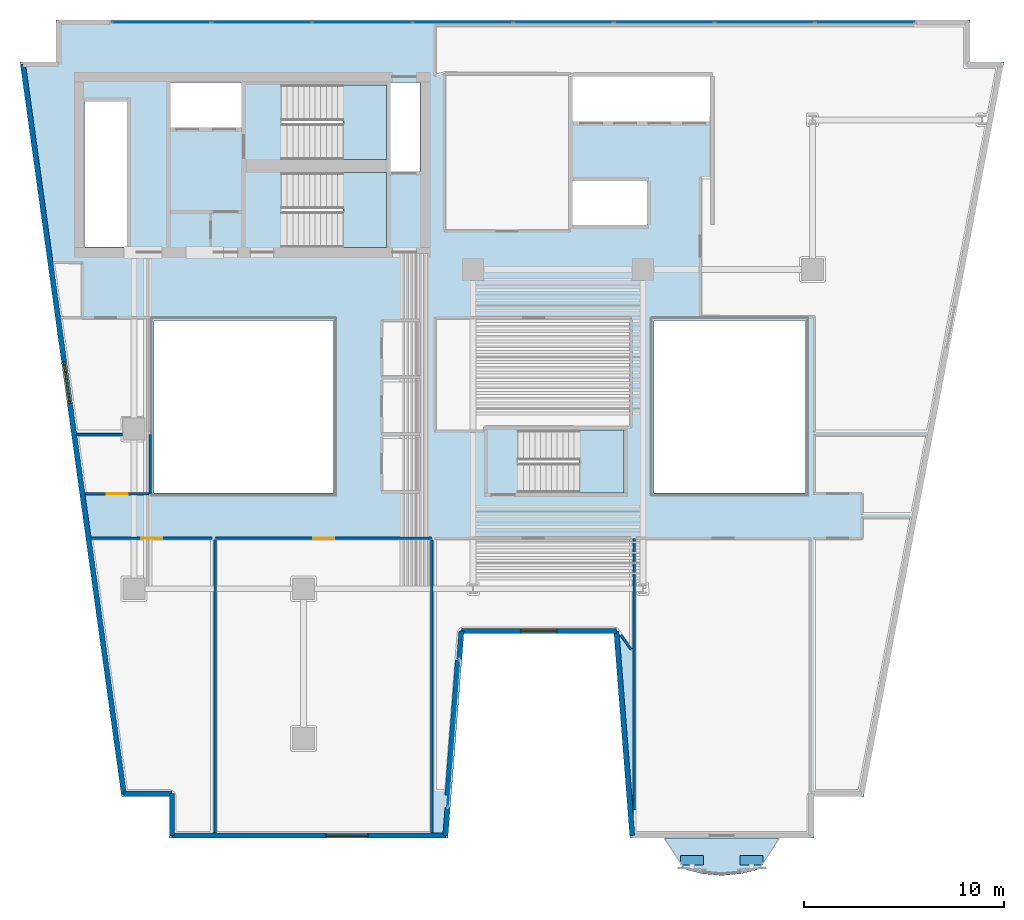
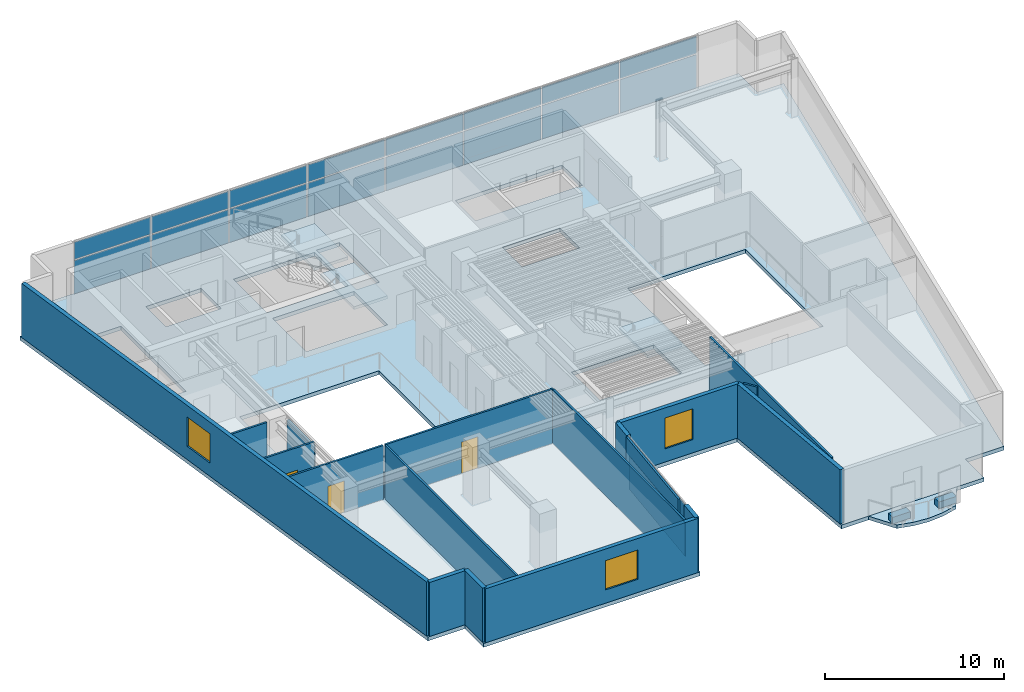
# One storey, part 5 of 13: 20 plates, 18 walls, 5 slabs, 3 doors, 3 windows, 6 openings, 5 elements without a shape of their own.
"""IFC4 building model written with IfcOpenShell, lengths in metres."""

from ifc_helpers import new_model, si_unit, direction, frame, frame_2d, origin, origin_2d, place, context, subcontext, project, spatial, polyline, rectangle, outline, extrude, material, layer, layer_set, type_object, element, fill, aggregate, save


model = new_model("IFC4")

# Units and contexts
model_context = context("Model", 3, precision=1e-05, world=origin(), true_north=direction((0.0, 1.0)))
body_context = subcontext(model_context, "Body", "Model", "MODEL_VIEW")
ifc_project = project(units=[si_unit("LENGTHUNIT", "METRE"), si_unit("AREAUNIT", "SQUARE_METRE"), si_unit("VOLUMEUNIT", "CUBIC_METRE"), si_unit("PLANEANGLEUNIT", "RADIAN"), si_unit("MASSUNIT", "GRAM", prefix="KILO")], contexts=[model_context])

# Site, building, storey
site_placement = place(None, origin())
site = spatial("IfcSite", under=ifc_project, at=site_placement, CompositionType="ELEMENT")
building_placement = place(site_placement, origin())
building = spatial("IfcBuilding", under=site, at=building_placement, Name="Caeloran Harvest Quay", CompositionType="ELEMENT")
storey_placement = place(building_placement, frame((0.0, 0.0, 131.14990234375)))
storey = spatial("IfcBuildingStorey", under=building, at=storey_placement, Name="L30", CompositionType="ELEMENT", Elevation=131.14990234375)

# Slab
ifc_material_1 = material(Name="Concrete C50/60", Category="concrete")
ifc_layer_1 = layer(ifc_material_1, 0.239990234375, Name="Concrete C50/60")
ifc_layer_set_1 = layer_set([ifc_layer_1], Name="Concrete C50/60")
slab_type_1 = type_object("IfcSlabType", Name="BALCONY-BL-240", PredefinedType="FLOOR", material=ifc_layer_set_1)
slab_1_placement = place(storey_placement, frame((0.0, 0.0, -0.239990234375)))
element("IfcSlab", 1, at=slab_1_placement, inside=storey, type_object=slab_type_1, Name="L30 Scalloped Cantilevered Planted Balcony Slab", PredefinedType="FLOOR", context=body_context, shape_type="SweptSolid", body=[
    extrude(outline(polyline([(39.869873046875, 0.955078125), (38.913818359375, 0.717041015625), (37.95751953125, 0.6298828125), (37.001220703125, 0.717041015625), (36.045166015625, 0.955078125), (35.101318359375, 2.5), (40.813720703125, 2.5), (39.869873046875, 0.955078125)])), origin(), (0.0, 0.0, 1.0), 0.239990234375),
])

# Curtain wall, plates
ifc_material_2 = material(Name="Aluminium 6063-T6 and Low-E Glazing", Category="aluminium")
ifc_layer_2 = layer(ifc_material_2, 0.18994140625, Name="Aluminium 6063-T6 and Low-E Glazing")
ifc_layer_set_2 = layer_set([ifc_layer_2], Name="Aluminium 6063-T6 and Low-E Glazing")
curtain_wall_type = type_object("IfcCurtainWallType", Name="CW-SYS-CW-3", PredefinedType="USERDEFINED", material=ifc_layer_set_2)
curtain_wall_1_placement = place(storey_placement, origin())
curtain_wall_1 = element("IfcCurtainWall", 2, at=curtain_wall_1_placement, inside=storey, type_object=curtain_wall_type, Name="L30 Unitised Curtain Wall CW-3 Run 6", ObjectType="CURTAIN_WALL", PredefinedType="USERDEFINED")
ifc_material_3 = material(Name="Low-E Double Glazed Vision Glass Unit", Category="glass")
ifc_layer_3 = layer(ifc_material_3, 0.035888671875, Name="Low-E Double Glazed Vision Glass Unit")
ifc_layer_set_3 = layer_set([ifc_layer_3], Name="Low-E Double Glazed Vision Glass Unit")
plate_type_1 = type_object("IfcPlateType", Name="CW-VISION-PANEL", PredefinedType="CURTAIN_PANEL", material=ifc_layer_set_3)
plate_1_placement = place(storey_placement, frame((9.871337890625, 43.3701171875, 0.080078125), z_axis=(0.0, 0.0, 1.0), x_axis=(1.0, 0.0, 0.0)))
plate_1 = element("IfcPlate", 3, at=plate_1_placement, type_object=plate_type_1, Name="CW-3 panel 1.1", PredefinedType="CURTAIN_PANEL", context=body_context, shape_type="SweptSolid", body=[
    extrude(rectangle(XDim=4.922607421875, YDim=0.035888671875, at=origin_2d()), origin(), (0.0, 0.0, 1.0), 2.280029296875),
])
plate_2_placement = place(storey_placement, frame((9.871337890625, 43.3701171875, 2.440185546875), z_axis=(0.0, 0.0, 1.0), x_axis=(1.0, 0.0, 0.0)))
plate_2 = element("IfcPlate", 4, at=plate_2_placement, type_object=plate_type_1, Name="CW-3 panel 1.2", PredefinedType="CURTAIN_PANEL", context=body_context, shape_type="SweptSolid", body=[
    extrude(rectangle(XDim=4.922607421875, YDim=0.035888671875, at=origin_2d()), origin(), (0.0, 0.0, 1.0), 1.169921875),
])
plate_3_placement = place(storey_placement, frame((14.893798828125, 43.3701171875, 0.080078125), z_axis=(0.0, 0.0, 1.0), x_axis=(1.0, 0.0, 0.0)))
plate_3 = element("IfcPlate", 5, at=plate_3_placement, type_object=plate_type_1, Name="CW-3 panel 2.1", PredefinedType="CURTAIN_PANEL", context=body_context, shape_type="SweptSolid", body=[
    extrude(rectangle(XDim=4.96240234375, YDim=0.035888671875, at=origin_2d()), origin(), (0.0, 0.0, 1.0), 2.280029296875),
])
plate_4_placement = place(storey_placement, frame((14.893798828125, 43.3701171875, 2.440185546875), z_axis=(0.0, 0.0, 1.0), x_axis=(1.0, 0.0, 0.0)))
plate_4 = element("IfcPlate", 6, at=plate_4_placement, type_object=plate_type_1, Name="CW-3 panel 2.2", PredefinedType="CURTAIN_PANEL", context=body_context, shape_type="SweptSolid", body=[
    extrude(rectangle(XDim=4.96240234375, YDim=0.035888671875, at=origin_2d()), origin(), (0.0, 0.0, 1.0), 1.169921875),
])
plate_5_placement = place(storey_placement, frame((19.936279296875, 43.3701171875, 0.080078125), z_axis=(0.0, 0.0, 1.0), x_axis=(1.0, 0.0, 0.0)))
plate_5 = element("IfcPlate", 7, at=plate_5_placement, type_object=plate_type_1, Name="CW-3 panel 3.1", PredefinedType="CURTAIN_PANEL", context=body_context, shape_type="SweptSolid", body=[
    extrude(rectangle(XDim=4.96240234375, YDim=0.035888671875, at=origin_2d()), origin(), (0.0, 0.0, 1.0), 2.280029296875),
])
plate_6_placement = place(storey_placement, frame((19.936279296875, 43.3701171875, 2.440185546875), z_axis=(0.0, 0.0, 1.0), x_axis=(1.0, 0.0, 0.0)))
plate_6 = element("IfcPlate", 8, at=plate_6_placement, type_object=plate_type_1, Name="CW-3 panel 3.2", PredefinedType="CURTAIN_PANEL", context=body_context, shape_type="SweptSolid", body=[
    extrude(rectangle(XDim=4.96240234375, YDim=0.035888671875, at=origin_2d()), origin(), (0.0, 0.0, 1.0), 1.169921875),
])
plate_7_placement = place(storey_placement, frame((24.978759765625, 43.3701171875, 0.080078125), z_axis=(0.0, 0.0, 1.0), x_axis=(1.0, 0.0, 0.0)))
plate_7 = element("IfcPlate", 9, at=plate_7_placement, type_object=plate_type_1, Name="CW-3 panel 4.1", PredefinedType="CURTAIN_PANEL", context=body_context, shape_type="SweptSolid", body=[
    extrude(rectangle(XDim=4.96240234375, YDim=0.035888671875, at=origin_2d()), origin(), (0.0, 0.0, 1.0), 2.280029296875),
])
plate_8_placement = place(storey_placement, frame((24.978759765625, 43.3701171875, 2.440185546875), z_axis=(0.0, 0.0, 1.0), x_axis=(1.0, 0.0, 0.0)))
plate_8 = element("IfcPlate", 10, at=plate_8_placement, type_object=plate_type_1, Name="CW-3 panel 4.2", PredefinedType="CURTAIN_PANEL", context=body_context, shape_type="SweptSolid", body=[
    extrude(rectangle(XDim=4.96240234375, YDim=0.035888671875, at=origin_2d()), origin(), (0.0, 0.0, 1.0), 1.169921875),
])
plate_9_placement = place(storey_placement, frame((30.021240234375, 43.3701171875, 0.080078125), z_axis=(0.0, 0.0, 1.0), x_axis=(1.0, 0.0, 0.0)))
plate_9 = element("IfcPlate", 11, at=plate_9_placement, type_object=plate_type_1, Name="CW-3 panel 5.1", PredefinedType="CURTAIN_PANEL", context=body_context, shape_type="SweptSolid", body=[
    extrude(rectangle(XDim=4.96240234375, YDim=0.035888671875, at=origin_2d()), origin(), (0.0, 0.0, 1.0), 2.280029296875),
])
plate_10_placement = place(storey_placement, frame((30.021240234375, 43.3701171875, 2.440185546875), z_axis=(0.0, 0.0, 1.0), x_axis=(1.0, 0.0, 0.0)))
plate_10 = element("IfcPlate", 12, at=plate_10_placement, type_object=plate_type_1, Name="CW-3 panel 5.2", PredefinedType="CURTAIN_PANEL", context=body_context, shape_type="SweptSolid", body=[
    extrude(rectangle(XDim=4.96240234375, YDim=0.035888671875, at=origin_2d()), origin(), (0.0, 0.0, 1.0), 1.169921875),
])
plate_11_placement = place(storey_placement, frame((35.063720703125, 43.3701171875, 0.080078125), z_axis=(0.0, 0.0, 1.0), x_axis=(1.0, 0.0, 0.0)))
plate_11 = element("IfcPlate", 13, at=plate_11_placement, type_object=plate_type_1, Name="CW-3 panel 6.1", PredefinedType="CURTAIN_PANEL", context=body_context, shape_type="SweptSolid", body=[
    extrude(rectangle(XDim=4.96240234375, YDim=0.035888671875, at=origin_2d()), origin(), (0.0, 0.0, 1.0), 2.280029296875),
])
plate_12_placement = place(storey_placement, frame((35.063720703125, 43.3701171875, 2.440185546875), z_axis=(0.0, 0.0, 1.0), x_axis=(1.0, 0.0, 0.0)))
plate_12 = element("IfcPlate", 14, at=plate_12_placement, type_object=plate_type_1, Name="CW-3 panel 6.2", PredefinedType="CURTAIN_PANEL", context=body_context, shape_type="SweptSolid", body=[
    extrude(rectangle(XDim=4.96240234375, YDim=0.035888671875, at=origin_2d()), origin(), (0.0, 0.0, 1.0), 1.169921875),
])
plate_13_placement = place(storey_placement, frame((40.106201171875, 43.3701171875, 0.080078125), z_axis=(0.0, 0.0, 1.0), x_axis=(1.0, 0.0, 0.0)))
plate_13 = element("IfcPlate", 15, at=plate_13_placement, type_object=plate_type_1, Name="CW-3 panel 7.1", PredefinedType="CURTAIN_PANEL", context=body_context, shape_type="SweptSolid", body=[
    extrude(rectangle(XDim=4.96240234375, YDim=0.035888671875, at=origin_2d()), origin(), (0.0, 0.0, 1.0), 2.280029296875),
])
plate_14_placement = place(storey_placement, frame((40.106201171875, 43.3701171875, 2.440185546875), z_axis=(0.0, 0.0, 1.0), x_axis=(1.0, 0.0, 0.0)))
plate_14 = element("IfcPlate", 16, at=plate_14_placement, type_object=plate_type_1, Name="CW-3 panel 7.2", PredefinedType="CURTAIN_PANEL", context=body_context, shape_type="SweptSolid", body=[
    extrude(rectangle(XDim=4.96240234375, YDim=0.035888671875, at=origin_2d()), origin(), (0.0, 0.0, 1.0), 1.169921875),
])
plate_15_placement = place(storey_placement, frame((45.128662109375, 43.3701171875, 0.080078125), z_axis=(0.0, 0.0, 1.0), x_axis=(1.0, 0.0, 0.0)))
plate_15 = element("IfcPlate", 17, at=plate_15_placement, type_object=plate_type_1, Name="CW-3 panel 8.1", PredefinedType="CURTAIN_PANEL", context=body_context, shape_type="SweptSolid", body=[
    extrude(rectangle(XDim=4.922607421875, YDim=0.035888671875, at=origin_2d()), origin(), (0.0, 0.0, 1.0), 2.280029296875),
])
plate_16_placement = place(storey_placement, frame((45.128662109375, 43.3701171875, 2.440185546875), z_axis=(0.0, 0.0, 1.0), x_axis=(1.0, 0.0, 0.0)))
plate_16 = element("IfcPlate", 18, at=plate_16_placement, type_object=plate_type_1, Name="CW-3 panel 8.2", PredefinedType="CURTAIN_PANEL", context=body_context, shape_type="SweptSolid", body=[
    extrude(rectangle(XDim=4.922607421875, YDim=0.035888671875, at=origin_2d()), origin(), (0.0, 0.0, 1.0), 1.169921875),
])
aggregate(curtain_wall_1, [plate_1, plate_2, plate_3, plate_4, plate_5, plate_6, plate_7, plate_8, plate_9, plate_10, plate_11, plate_12, plate_13, plate_14, plate_15, plate_16])

curtain_wall_2_placement = place(storey_placement, origin())
curtain_wall_2 = element("IfcCurtainWall", 19, at=curtain_wall_2_placement, inside=storey, type_object=curtain_wall_type, Name="L30 Unitised Curtain Wall CW-3 Run 15", ObjectType="CURTAIN_WALL", PredefinedType="USERDEFINED")
plate_17_placement = place(storey_placement, frame((24.509765625, 7.7548828125, 0.080078125), z_axis=(0.0, 0.0, 1.0), x_axis=(-0.077821861046, -0.996967280277, 0.0)))
plate_17 = element("IfcPlate", 20, at=plate_17_placement, type_object=plate_type_1, Name="CW-3 panel 1.1", PredefinedType="CURTAIN_PANEL", context=body_context, shape_type="SweptSolid", body=[
    extrude(rectangle(XDim=7.3212890625, YDim=0.035888671875, at=origin_2d()), origin(), (0.0, 0.0, 1.0), 2.280029296875),
])
plate_18_placement = place(storey_placement, frame((24.509765625, 7.7548828125, 2.440185546875), z_axis=(0.0, 0.0, 1.0), x_axis=(-0.077821861046, -0.996967280277, 0.0)))
plate_18 = element("IfcPlate", 21, at=plate_18_placement, type_object=plate_type_1, Name="CW-3 panel 1.2", PredefinedType="CURTAIN_PANEL", context=body_context, shape_type="SweptSolid", body=[
    extrude(rectangle(XDim=7.3212890625, YDim=0.035888671875, at=origin_2d()), origin(), (0.0, 0.0, 1.0), 1.169921875),
])
aggregate(curtain_wall_2, [plate_17, plate_18])

# Plates
ifc_material_4 = material(Name="Precast concrete C50/60", Category="concrete")
ifc_layer_4 = layer(ifc_material_4, 0.449951171875, Name="Precast concrete C50/60")
ifc_layer_set_4 = layer_set([ifc_layer_4], Name="Precast concrete C50/60")
plate_type_2 = type_object("IfcPlateType", Name="PLANTER-TROUGH-450", PredefinedType="USERDEFINED", material=ifc_layer_set_4)
for number, where, z_axis, x_axis, name in (
    (22, (39.44921875, 1.389892578125, 0.0), (0.0, 0.0, 1.0), (1.0, 0.0, 0.0), "L30 Balcony Vertical-Greenery Precast PLANTER Trough 1"),
    (23, (36.4658203125, 1.389892578125, 0.0), (0.0, 0.0, 1.0), (1.0, 0.0, 0.0), "L30 Balcony Vertical-Greenery Precast PLANTER Trough 2"),
):
    element("IfcPlate", number, at=place(storey_placement, frame(where, z_axis=z_axis, x_axis=x_axis)), inside=storey, type_object=plate_type_2, Name=name, ObjectType="PLANTER", PredefinedType="USERDEFINED", context=body_context, shape_type="SweptSolid", body=[
        extrude(rectangle(XDim=1.14990234375, YDim=0.47998046875, at=origin_2d()), origin(), (0.0, 0.0, 1.0), 0.449951171875),
    ])

# Slab
ifc_layer_5 = layer(ifc_material_1, 0.260009765625, Name="Concrete C50/60")
ifc_layer_set_5 = layer_set([ifc_layer_5], Name="Concrete C50/60")
slab_type_2 = type_object("IfcSlabType", Name="SLAB-FS-260", PredefinedType="FLOOR", material=ifc_layer_set_5)
slab_2_placement = place(storey_placement, frame((0.0, 0.0, -0.260009765625)))
element("IfcSlab", 24, at=slab_2_placement, inside=storey, type_object=slab_type_2, Name="L30 Structural Floor Slab", PredefinedType="FLOOR", context=body_context, shape_type="SweptSolid", body=[
    extrude(outline(polyline([(10.27001953125, 2.5), (24.22998046875, 2.5), (25.030029296875, 12.75), (32.554931640625, 12.75), (33.35498046875, 2.5), (42.570068359375, 2.5), (42.570068359375, 4.60009765625), (45.071044921875, 4.60009765625), (52.09912109375, 41.39990234375), (50.39990234375, 41.39990234375), (50.39990234375, 43.5), (4.60009765625, 43.5), (4.60009765625, 41.39990234375), (2.790283203125, 41.39990234375), (7.879638671875, 4.60009765625), (10.27001953125, 4.60009765625), (10.27001953125, 2.5)]), holes=[polyline([(27.75, 19.800048828125), (27.75, 22.949951171875), (33.050048828125, 22.949951171875), (33.050048828125, 19.800048828125), (27.75, 19.800048828125)]), polyline([(18.5, 19.800048828125), (9.5, 19.800048828125), (9.5, 28.449951171875), (18.5, 28.449951171875), (18.5, 19.800048828125)]), polyline([(42.14990234375, 19.800048828125), (34.550048828125, 19.800048828125), (34.550048828125, 28.449951171875), (42.14990234375, 28.449951171875), (42.14990234375, 19.800048828125)]), polyline([(15.89990234375, 35.85009765625), (21.14990234375, 35.85009765625), (21.14990234375, 32.10009765625), (15.89990234375, 32.10009765625), (15.89990234375, 35.85009765625)]), polyline([(30.47998046875, 33.219970703125), (30.47998046875, 35.429931640625), (34.199951171875, 35.429931640625), (34.199951171875, 33.219970703125), (30.47998046875, 33.219970703125)]), polyline([(8.159912109375, 32.1201171875), (6.02001953125, 32.1201171875), (6.02001953125, 39.419921875), (8.159912109375, 39.419921875), (8.159912109375, 32.1201171875)]), polyline([(22.830078125, 35.919921875), (21.35009765625, 35.919921875), (21.35009765625, 40.3798828125), (22.830078125, 40.3798828125), (22.830078125, 35.919921875)]), polyline([(15.89990234375, 36.5), (15.89990234375, 40.25), (21.14990234375, 40.25), (21.14990234375, 36.5), (15.89990234375, 36.5)]), polyline([(10.320068359375, 38.1201171875), (10.320068359375, 40.3798828125), (13.89990234375, 40.3798828125), (13.89990234375, 38.1201171875), (10.320068359375, 38.1201171875)]), polyline([(30.47998046875, 38.419921875), (30.47998046875, 40.679931640625), (37.3798828125, 40.679931640625), (37.3798828125, 38.419921875), (30.47998046875, 38.419921875)])]), origin(), (0.0, 0.0, 1.0), 0.260009765625),
])

# Stair, slab
stair_type_1 = type_object("IfcStairType", Name="STAIR-STC-180", PredefinedType="HALF_TURN_STAIR", material=ifc_material_1)
stair_1_placement = place(storey_placement, origin())
stair_1 = element("IfcStair", 25, at=stair_1_placement, inside=storey, type_object=stair_type_1, Name="L30 Core Pressurized Exit Stair ST-C1", PredefinedType="HALF_TURN_STAIR")
ifc_layer_6 = layer(ifc_material_1, 0.219970703125, Name="Concrete C50/60")
ifc_layer_set_6 = layer_set([ifc_layer_6], Name="Concrete C50/60")
slab_type_3 = type_object("IfcSlabType", Name="STAIR-LANDING-220", PredefinedType="LANDING", material=ifc_layer_set_6)
slab_3_placement = place(storey_placement, frame((0.0, 0.0, 1.775146484375)))
slab_3 = element("IfcSlab", 26, at=slab_3_placement, type_object=slab_type_3, Name="ST-C1 landing 1", PredefinedType="LANDING", context=body_context, shape_type="SweptSolid", body=[
    extrude(outline(polyline([(18.97998046875, 36.5), (21.14990234375, 36.5), (21.14990234375, 40.25), (18.97998046875, 40.25), (18.97998046875, 36.5)])), origin(), (0.0, 0.0, 1.0), 0.199951171875),
])
aggregate(stair_1, [slab_3])

stair_2_placement = place(storey_placement, origin())
stair_2 = element("IfcStair", 27, at=stair_2_placement, inside=storey, type_object=stair_type_1, Name="L30 Core Pressurized Exit Stair ST-C2", PredefinedType="HALF_TURN_STAIR")
slab_4_placement = place(storey_placement, frame((0.0, 0.0, 1.775146484375)))
slab_4 = element("IfcSlab", 28, at=slab_4_placement, type_object=slab_type_3, Name="ST-C2 landing 1", PredefinedType="LANDING", context=body_context, shape_type="SweptSolid", body=[
    extrude(outline(polyline([(18.97998046875, 32.10009765625), (21.14990234375, 32.10009765625), (21.14990234375, 35.85009765625), (18.97998046875, 35.85009765625), (18.97998046875, 32.10009765625)])), origin(), (0.0, 0.0, 1.0), 0.199951171875),
])
aggregate(stair_2, [slab_4])

stair_type_2 = type_object("IfcStairType", Name="STAIR-STW-150", PredefinedType="HALF_TURN_STAIR", material=ifc_material_1)
stair_3_placement = place(storey_placement, origin())
stair_3 = element("IfcStair", 29, at=stair_3_placement, inside=storey, type_object=stair_type_2, Name="L30 East Wing Protected Exit Stair ST-W1", PredefinedType="HALF_TURN_STAIR")
slab_5_placement = place(storey_placement, frame((0.0, 0.0, 1.775146484375)))
slab_5 = element("IfcSlab", 30, at=slab_5_placement, type_object=slab_type_3, Name="ST-W1 landing 1", PredefinedType="LANDING", context=body_context, shape_type="SweptSolid", body=[
    extrude(outline(polyline([(30.830078125, 19.800048828125), (33.050048828125, 19.800048828125), (33.050048828125, 22.949951171875), (30.830078125, 22.949951171875), (30.830078125, 19.800048828125)])), origin(), (0.0, 0.0, 1.0), 0.199951171875),
])
aggregate(stair_3, [slab_5])

# Walls
ifc_layer_7 = layer(ifc_material_4, 0.260009765625, Name="Precast concrete C50/60")
ifc_layer_set_7 = layer_set([ifc_layer_7], Name="Precast concrete C50/60")
wall_type_1 = type_object("IfcWallType", Name="ENV-WALL-EW-260", PredefinedType="STANDARD", material=ifc_layer_set_7)
wall_1_placement = place(storey_placement, frame((10.39990234375, 2.6298828125, 0.0), z_axis=(0.0, 0.0, 1.0), x_axis=(0.0, 1.0, 0.0)))
element("IfcWall", 31, at=wall_1_placement, inside=storey, type_object=wall_type_1, Name="L30 Exterior Precast Concrete Facade Wall 1", PredefinedType="STANDARD", context=body_context, shape_type="SweptSolid", body=[
    extrude(rectangle(XDim=2.10009765625, YDim=0.260009765625, at=frame_2d((1.050048828125, 0.0))), origin(), (0.0, 0.0, 1.0), 3.690185546875),
])
wall_2_placement = place(storey_placement, frame((10.39990234375, 4.72998046875, 0.0), z_axis=(0.0, 0.0, 1.0), x_axis=(-1.0, 0.0, 0.0)))
element("IfcWall", 32, at=wall_2_placement, inside=storey, type_object=wall_type_1, Name="L30 Exterior Precast Concrete Facade Wall 2", PredefinedType="STANDARD", context=body_context, shape_type="SweptSolid", body=[
    extrude(rectangle(XDim=2.406982421875, YDim=0.260009765625, at=frame_2d((1.20361328125, 0.0))), origin(), (0.0, 0.0, 1.0), 3.690185546875),
])

# Wall, opening, window
wall_3_placement = place(storey_placement, frame((7.992919921875, 4.72998046875, 0.0), z_axis=(0.0, 0.0, 1.0), x_axis=(-0.136989009016, 0.990572567462, 0.0)))
wall_3 = element("IfcWall", 33, at=wall_3_placement, inside=storey, type_object=wall_type_1, Name="L30 Exterior Precast Concrete Facade Wall 3", PredefinedType="STANDARD", context=body_context, shape_type="SweptSolid", body=[
    extrude(rectangle(XDim=36.8876953125, YDim=0.260009765625, at=frame_2d((18.44384765625, 0.0))), origin(), (0.0, 0.0, 1.0), 3.690185546875),
])
opening_1_placement = place(wall_3_placement, frame((19.738037109375, 0.0, 0.89990234375)))
opening_1 = element("IfcOpeningElement", 34, at=opening_1_placement, cuts=wall_3, Name="Opening W-06", PredefinedType="OPENING", context=body_context, shape_type="SweptSolid", body=[
    extrude(rectangle(XDim=2.10009765625, YDim=2.0, at=frame_2d((1.050048828125, 1.0))), frame((0.0, 0.14013671875, 0.0), z_axis=(0.0, -1.0, 0.0), x_axis=(1.0, 0.0, 0.0)), (0.0, 0.0, 1.0), 0.280029296875),
])
ifc_material_5 = material(Name="Aluminium-Framed Low-E Laminated Glass", Category="aluminium")
window_type_1 = type_object("IfcWindowType", Name="WIN-W-06", PartitioningType="DOUBLE_PANEL_VERTICAL", PredefinedType="WINDOW", material=ifc_material_5)
window_1_placement = place(opening_1_placement, origin())
window_1 = element("IfcWindow", 35, at=window_1_placement, inside=storey, type_object=window_type_1, Name="L30 Facade Punched Window W-06", OverallHeight=2.0, OverallWidth=2.10009765625, PartitioningType="DOUBLE_PANEL_VERTICAL", PredefinedType="WINDOW", context=body_context, shape_type="SweptSolid", body=[
    extrude(rectangle(XDim=2.10009765625, YDim=2.0, at=frame_2d((1.050048828125, 1.0))), frame((0.0, 0.030029296875, 0.0), z_axis=(0.0, -1.0, 0.0), x_axis=(1.0, 0.0, 0.0)), (0.0, 0.0, 1.0), 0.06005859375),
])
fill(opening_1, window_1)

# Wall
wall_4_placement = place(storey_placement, frame((33.47509765625, 2.6298828125, 0.0), z_axis=(0.0, 0.0, 1.0), x_axis=(-0.077793257511, 0.996969512616, 0.0)))
element("IfcWall", 36, at=wall_4_placement, inside=storey, type_object=wall_type_1, Name="L30 Exterior Precast Concrete Facade Wall 13", PredefinedType="STANDARD", context=body_context, shape_type="SweptSolid", body=[
    extrude(rectangle(XDim=10.28125, YDim=0.260009765625, at=frame_2d((5.140625, 0.0))), origin(), (0.0, 0.0, 1.0), 3.690185546875),
])

# Wall, opening, window
wall_5_placement = place(storey_placement, frame((32.67529296875, 12.8798828125, 0.0), z_axis=(0.0, 0.0, 1.0), x_axis=(-1.0, 0.0, 0.0)))
wall_5 = element("IfcWall", 37, at=wall_5_placement, inside=storey, type_object=wall_type_1, Name="L30 Exterior Precast Concrete Facade Wall 14", PredefinedType="STANDARD", context=body_context, shape_type="SweptSolid", body=[
    extrude(rectangle(XDim=7.765380859375, YDim=0.260009765625, at=frame_2d((3.8828125, 0.0))), origin(), (0.0, 0.0, 1.0), 3.690185546875),
])
opening_2_placement = place(wall_5_placement, frame((2.98291015625, 0.0, 0.89990234375)))
opening_2 = element("IfcOpeningElement", 38, at=opening_2_placement, cuts=wall_5, Name="Opening W-01", PredefinedType="OPENING", context=body_context, shape_type="SweptSolid", body=[
    extrude(rectangle(XDim=1.800048828125, YDim=2.10009765625, at=frame_2d((0.89990234375, 1.050048828125))), frame((0.0, 0.14013671875, 0.0), z_axis=(0.0, -1.0, 0.0), x_axis=(1.0, 0.0, 0.0)), (0.0, 0.0, 1.0), 0.280029296875),
])
window_type_2 = type_object("IfcWindowType", Name="WIN-W-01", PartitioningType="SINGLE_PANEL", PredefinedType="WINDOW", material=ifc_material_5)
window_2_placement = place(opening_2_placement, origin())
window_2 = element("IfcWindow", 39, at=window_2_placement, inside=storey, type_object=window_type_2, Name="L30 Facade Punched Window W-01", OverallHeight=2.10009765625, OverallWidth=1.800048828125, PartitioningType="SINGLE_PANEL", PredefinedType="WINDOW", context=body_context, shape_type="SweptSolid", body=[
    extrude(rectangle(XDim=1.800048828125, YDim=2.10009765625, at=frame_2d((0.89990234375, 1.050048828125))), frame((0.0, 0.030029296875, 0.0), z_axis=(0.0, -1.0, 0.0), x_axis=(1.0, 0.0, 0.0)), (0.0, 0.0, 1.0), 0.06005859375),
])
fill(opening_2, window_2)

# Walls
for number, where, z_axis, x_axis, name in (
    (40, (24.909912109375, 12.8798828125, 0.0), (0.0, 0.0, 1.0), (-0.077949956455, -0.996957273051, 0.0), "L30 Exterior Facade Corner Pier Wall 15A"),
    (41, (24.21875, 4.025634765625, 0.0), (0.0, 0.0, 1.0), (-0.077776627829, -0.996970810086, 0.0), "L30 Exterior Facade Corner Pier Wall 15B"),
):
    element("IfcWall", number, at=place(storey_placement, frame(where, z_axis=z_axis, x_axis=x_axis)), inside=storey, type_object=wall_type_1, Name=name, PredefinedType="STANDARD", context=body_context, shape_type="SweptSolid", body=[
        extrude(rectangle(XDim=1.39990234375, YDim=0.260009765625, at=frame_2d((0.699951171875, 0.0))), origin(), (0.0, 0.0, 1.0), 3.690185546875),
    ])

# Wall, opening, window
wall_6_placement = place(storey_placement, frame((24.10986328125, 2.6298828125, 0.0), z_axis=(0.0, 0.0, 1.0), x_axis=(-1.0, 0.0, 0.0)))
wall_6 = element("IfcWall", 42, at=wall_6_placement, inside=storey, type_object=wall_type_1, Name="L30 Exterior Precast Concrete Facade Wall 16", PredefinedType="STANDARD", context=body_context, shape_type="SweptSolid", body=[
    extrude(rectangle(XDim=13.7099609375, YDim=0.260009765625, at=frame_2d((6.85498046875, 0.0))), origin(), (0.0, 0.0, 1.0), 3.690185546875),
])
opening_3_placement = place(wall_6_placement, frame((3.885986328125, 0.0, 0.89990234375)))
opening_3 = element("IfcOpeningElement", 43, at=opening_3_placement, cuts=wall_6, Name="Opening W-06", PredefinedType="OPENING", context=body_context, shape_type="SweptSolid", body=[
    extrude(rectangle(XDim=2.10009765625, YDim=2.0, at=frame_2d((1.050048828125, 1.0))), frame((0.0, 0.14013671875, 0.0), z_axis=(0.0, -1.0, 0.0), x_axis=(1.0, 0.0, 0.0)), (0.0, 0.0, 1.0), 0.280029296875),
])
window_3_placement = place(opening_3_placement, origin())
window_3 = element("IfcWindow", 44, at=window_3_placement, inside=storey, type_object=window_type_1, Name="L30 Facade Punched Window W-06", OverallHeight=2.0, OverallWidth=2.10009765625, PartitioningType="DOUBLE_PANEL_VERTICAL", PredefinedType="WINDOW", context=body_context, shape_type="SweptSolid", body=[
    extrude(rectangle(XDim=2.10009765625, YDim=2.0, at=frame_2d((1.050048828125, 1.0))), frame((0.0, 0.030029296875, 0.0), z_axis=(0.0, -1.0, 0.0), x_axis=(1.0, 0.0, 0.0)), (0.0, 0.0, 1.0), 0.06005859375),
])
fill(opening_3, window_3)

# Wall, opening, door
ifc_material_6 = material(Name="Twin-Stud Mineral-Wool Acoustic Gypsum Partition", Category="gypsum")
ifc_layer_8 = layer(ifc_material_6, 0.125, Name="Twin-Stud Mineral-Wool Acoustic Gypsum Partition")
ifc_layer_set_8 = layer_set([ifc_layer_8], Name="Twin-Stud Mineral-Wool Acoustic Gypsum Partition")
wall_type_2 = type_object("IfcWallType", Name="INT-WALL-PW-125", PredefinedType="PARTITIONING", material=ifc_layer_set_8)
wall_7_placement = place(storey_placement, frame((12.580078125, 17.52001953125, 0.0), z_axis=(0.0, 0.0, 1.0), x_axis=(1.0, 0.0, 0.0)))
wall_7 = element("IfcWall", 45, at=wall_7_placement, inside=storey, type_object=wall_type_2, Name="Precision Agriculture Engineering Office Partition Wall", PredefinedType="PARTITIONING", context=body_context, shape_type="SweptSolid", body=[
    extrude(rectangle(XDim=10.83984375, YDim=0.125, at=frame_2d((5.419921875, 0.0))), origin(), (0.0, 0.0, 1.0), 3.690185546875),
])
opening_4_placement = place(wall_7_placement, frame((4.89501953125, 0.0, 0.0)))
opening_4 = element("IfcOpeningElement", 46, at=opening_4_placement, cuts=wall_7, Name="Opening ID-03", PredefinedType="OPENING", context=body_context, shape_type="SweptSolid", body=[
    extrude(rectangle(XDim=1.050048828125, YDim=2.14990234375, at=frame_2d((0.52490234375, 1.074951171875))), frame((0.0, 0.072509765625, 0.0), z_axis=(0.0, -1.0, 0.0), x_axis=(1.0, 0.0, 0.0)), (0.0, 0.0, 1.0), 0.14501953125),
])
ifc_material_7 = material(Name="FSC Solid-Core Oak Timber Leaf", Category="wood")
door_type = type_object("IfcDoorType", Name="INTDOOR-ID-03", OperationType="NOTDEFINED", PredefinedType="DOOR", material=ifc_material_7)
door_1_placement = place(opening_4_placement, origin())
door_1 = element("IfcDoor", 47, at=door_1_placement, inside=storey, type_object=door_type, Name="Precision Agriculture Engineering Office Access Door", OperationType="SINGLE_SWING_LEFT", OverallHeight=2.14990234375, OverallWidth=1.050048828125, PredefinedType="DOOR", context=body_context, shape_type="SweptSolid", body=[
    extrude(rectangle(XDim=1.050048828125, YDim=2.14990234375, at=frame_2d((0.52490234375, 1.074951171875))), frame((0.0, 0.02490234375, 0.0), z_axis=(0.0, -1.0, 0.0), x_axis=(1.0, 0.0, 0.0)), (0.0, 0.0, 1.0), 0.050048828125),
])
fill(opening_4, door_1)

# Walls
for number, where, z_axis, x_axis, name in (
    (48, (23.419921875, 17.452392578125, 0.0), (0.0, 0.0, 1.0), (0.0, -1.0, 0.0), "Precision Agriculture Engineering Office Partition Wall"),
    (49, (12.580078125, 2.764892578125, 0.0), (0.0, 0.0, 1.0), (0.0, 1.0, 0.0), "Precision Agriculture Engineering Office Partition Wall"),
):
    element("IfcWall", number, at=place(storey_placement, frame(where, z_axis=z_axis, x_axis=x_axis)), inside=storey, type_object=wall_type_2, Name=name, PredefinedType="PARTITIONING", context=body_context, shape_type="SweptSolid", body=[
        extrude(rectangle(XDim=14.6875, YDim=0.125, at=frame_2d((7.34375, 0.0))), origin(), (0.0, 0.0, 1.0), 3.690185546875),
    ])
wall_8_placement = place(storey_placement, frame((33.580078125, 3.915283203125, 0.0), z_axis=(0.0, 0.0, 1.0), x_axis=(0.0, 1.0, 0.0)))
element("IfcWall", 50, at=wall_8_placement, inside=storey, type_object=wall_type_2, Name="Controlled-Climate Simulation Lab Partition Wall", PredefinedType="PARTITIONING", context=body_context, shape_type="SweptSolid", body=[
    extrude(rectangle(XDim=13.604736328125, YDim=0.125, at=frame_2d((6.80224609375, 0.0))), origin(), (0.0, 0.0, 1.0), 3.690185546875),
])

# Wall, opening, door
wall_9_placement = place(storey_placement, frame((6.3603515625, 17.52001953125, 0.0), z_axis=(0.0, 0.0, 1.0), x_axis=(1.0, 0.0, 0.0)))
wall_9 = element("IfcWall", 51, at=wall_9_placement, inside=storey, type_object=wall_type_2, Name="Drone Telemetry Computing Office Partition Wall", PredefinedType="PARTITIONING", context=body_context, shape_type="SweptSolid", body=[
    extrude(rectangle(XDim=6.0595703125, YDim=0.125, at=frame_2d((3.02978515625, 0.0))), origin(), (0.0, 0.0, 1.0), 3.690185546875),
])
opening_5_placement = place(wall_9_placement, frame((2.5048828125, 0.0, 0.0)))
opening_5 = element("IfcOpeningElement", 52, at=opening_5_placement, cuts=wall_9, Name="Opening ID-03", PredefinedType="OPENING", context=body_context, shape_type="SweptSolid", body=[
    extrude(rectangle(XDim=1.050048828125, YDim=2.14990234375, at=frame_2d((0.52490234375, 1.074951171875))), frame((0.0, 0.072509765625, 0.0), z_axis=(0.0, -1.0, 0.0), x_axis=(1.0, 0.0, 0.0)), (0.0, 0.0, 1.0), 0.14501953125),
])
door_2_placement = place(opening_5_placement, origin())
door_2 = element("IfcDoor", 53, at=door_2_placement, inside=storey, type_object=door_type, Name="Drone Telemetry Computing Office Access Door", OperationType="SINGLE_SWING_LEFT", OverallHeight=2.14990234375, OverallWidth=1.050048828125, PredefinedType="DOOR", context=body_context, shape_type="SweptSolid", body=[
    extrude(rectangle(XDim=1.050048828125, YDim=2.14990234375, at=frame_2d((0.52490234375, 1.074951171875))), frame((0.0, 0.02490234375, 0.0), z_axis=(0.0, -1.0, 0.0), x_axis=(1.0, 0.0, 0.0)), (0.0, 0.0, 1.0), 0.050048828125),
])
fill(opening_5, door_2)

# Walls
wall_10_placement = place(storey_placement, frame((33.419921875, 11.9609375, 0.0), z_axis=(0.0, 0.0, 1.0), x_axis=(-0.58517236533, 0.810908936228, 0.0)))
element("IfcWall", 54, at=wall_10_placement, inside=storey, type_object=wall_type_2, Name="Boardroom and Client Briefing Room Partition Wall", PredefinedType="PARTITIONING", context=body_context, shape_type="SweptSolid", body=[
    extrude(rectangle(XDim=0.896484375, YDim=0.125, at=frame_2d((0.4482421875, 0.0))), origin(), (0.0, 0.0, 1.0), 3.690185546875),
])
wall_11_placement = place(storey_placement, frame((24.66552734375, 11.419921875, 0.0), z_axis=(0.0, 0.0, 1.0), x_axis=(-0.077847945506, -0.996965243818, 0.0)))
element("IfcWall", 55, at=wall_11_placement, inside=storey, type_object=wall_type_2, Name="Boardroom and Client Briefing Room Partition Wall", PredefinedType="PARTITIONING", context=body_context, shape_type="SweptSolid", body=[
    extrude(rectangle(XDim=6.777099609375, YDim=0.125, at=frame_2d((3.388671875, 0.0))), origin(), (0.0, 0.0, 1.0), 3.690185546875),
])
wall_12_placement = place(storey_placement, frame((9.320068359375, 22.719970703125, 0.0), z_axis=(0.0, 0.0, 1.0), x_axis=(0.0, -1.0, 0.0)))
element("IfcWall", 56, at=wall_12_placement, inside=storey, type_object=wall_type_2, Name="Staff Espresso Kitchen Partition Wall", PredefinedType="PARTITIONING", context=body_context, shape_type="SweptSolid", body=[
    extrude(rectangle(XDim=2.969970703125, YDim=0.125, at=frame_2d((1.48486328125, 0.0))), origin(), (0.0, 0.0, 1.0), 3.375),
])

# Wall, opening, door
wall_13_placement = place(storey_placement, frame((9.25244140625, 19.75, 0.0), z_axis=(0.0, 0.0, 1.0), x_axis=(-1.0, 0.0, 0.0)))
wall_13 = element("IfcWall", 57, at=wall_13_placement, inside=storey, type_object=wall_type_2, Name="Staff Espresso Kitchen Partition Wall", PredefinedType="PARTITIONING", context=body_context, shape_type="SweptSolid", body=[
    extrude(rectangle(XDim=3.200439453125, YDim=0.125, at=frame_2d((1.60009765625, 0.0))), origin(), (0.0, 0.0, 1.0), 3.690185546875),
])
opening_6_placement = place(wall_13_placement, frame((1.0751953125, 0.0, 0.0)))
opening_6 = element("IfcOpeningElement", 58, at=opening_6_placement, cuts=wall_13, Name="Opening ID-03", PredefinedType="OPENING", context=body_context, shape_type="SweptSolid", body=[
    extrude(rectangle(XDim=1.050048828125, YDim=2.14990234375, at=frame_2d((0.52490234375, 1.074951171875))), frame((0.0, 0.072509765625, 0.0), z_axis=(0.0, -1.0, 0.0), x_axis=(1.0, 0.0, 0.0)), (0.0, 0.0, 1.0), 0.14501953125),
])
door_3_placement = place(opening_6_placement, origin())
door_3 = element("IfcDoor", 59, at=door_3_placement, inside=storey, type_object=door_type, Name="Staff Espresso Kitchen Access Door", OperationType="SINGLE_SWING_LEFT", OverallHeight=2.14990234375, OverallWidth=1.050048828125, PredefinedType="DOOR", context=body_context, shape_type="SweptSolid", body=[
    extrude(rectangle(XDim=1.050048828125, YDim=2.14990234375, at=frame_2d((0.52490234375, 1.074951171875))), frame((0.0, 0.02490234375, 0.0), z_axis=(0.0, -1.0, 0.0), x_axis=(1.0, 0.0, 0.0)), (0.0, 0.0, 1.0), 0.050048828125),
])
fill(opening_6, door_3)

# Wall
wall_14_placement = place(storey_placement, frame((5.641357421875, 22.719970703125, 0.0), z_axis=(0.0, 0.0, 1.0), x_axis=(1.0, 0.0, 0.0)))
element("IfcWall", 60, at=wall_14_placement, inside=storey, type_object=wall_type_2, Name="Staff Espresso Kitchen Partition Wall", PredefinedType="PARTITIONING", context=body_context, shape_type="SweptSolid", body=[
    extrude(rectangle(XDim=2.28369140625, YDim=0.125, at=frame_2d((1.141845703125, 0.0))), origin(), (0.0, 0.0, 1.0), 3.690185546875),
])

save(model, "model.ifc")
